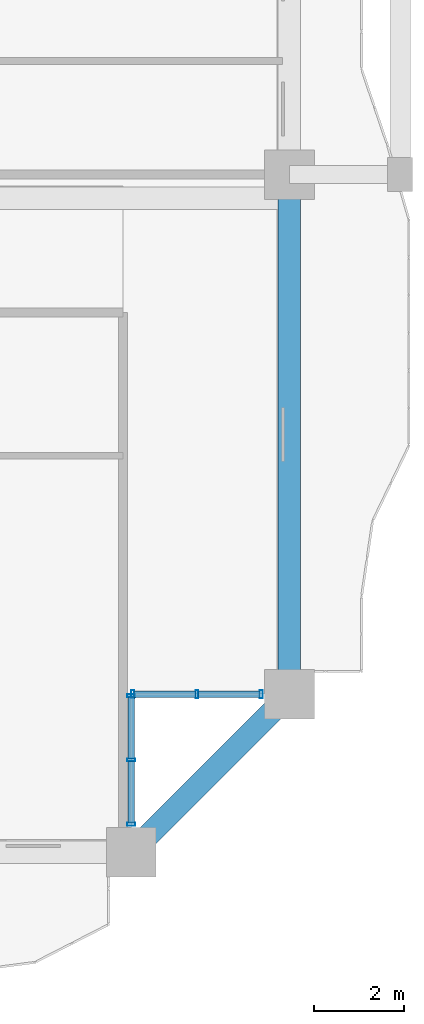
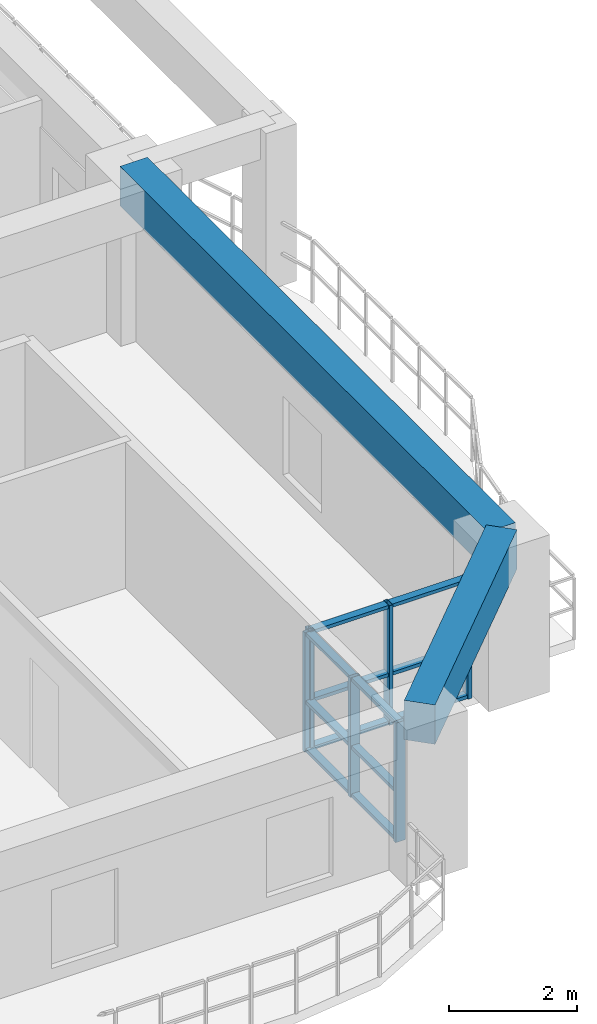
# One storey, part 4 of 27: 18 members, 2 beams, 2 elements without a shape of their own.
"""IFC4 building model written with IfcOpenShell, lengths in metres."""

from ifc_helpers import new_model, si_unit, direction, frame, origin, origin_2d, place, context, subcontext, project, spatial, rectangle, hollow_rectangle, extrude, source, transform, mapped, material, layer, layer_set, material_profile, profile_set, type_object, element, aggregate, save


model = new_model("IFC4")

# Units and contexts
model_context = context("Model", 3, precision=1e-05, world=origin(), true_north=direction((0.0, 1.0)))
body_context = subcontext(model_context, "Body", "Model", "MODEL_VIEW")
ifc_project = project(units=[si_unit("LENGTHUNIT", "METRE"), si_unit("AREAUNIT", "SQUARE_METRE"), si_unit("VOLUMEUNIT", "CUBIC_METRE"), si_unit("PLANEANGLEUNIT", "RADIAN"), si_unit("MASSUNIT", "GRAM", prefix="KILO")], contexts=[model_context])

# Site, building, storey
site_placement = place(None, origin())
site = spatial("IfcSite", under=ifc_project, at=site_placement, CompositionType="ELEMENT")
building_placement = place(site_placement, origin())
building = spatial("IfcBuilding", under=site, at=building_placement, Name="Saelheon Loggia Tower", CompositionType="ELEMENT")
storey_placement = place(building_placement, frame((0.0, 0.0, 34.39990234375)))
storey = spatial("IfcBuildingStorey", under=building, at=storey_placement, Name="L10", CompositionType="ELEMENT", Elevation=34.39990234375)

# Beams
ifc_material_1 = material(Name="Concrete C45/55", Category="concrete")
ifc_material_profile_1 = material_profile(ifc_material_1, rectangle(XDim=0.5, YDim=0.75, at=origin_2d()), Name="RC-500x750")
ifc_profile_set_1 = profile_set([ifc_material_profile_1], Name="Concrete C45/55")
beam_type = type_object("IfcBeamType", Name="Beam_PerimGirder_RC500x750", PredefinedType="BEAM", material=ifc_profile_set_1)
shared_shape_1 = source(origin(), body_context, "Body", "SweptSolid", [
    extrude(rectangle(XDim=0.5, YDim=0.75, at=origin_2d()), origin(), (0.0, 0.0, 1.0), 4.94970703125),
])
beam_1_placement = place(storey_placement, frame((60.5, 3.0, 2.625), z_axis=(0.707106781187, 0.707106781187, 0.0), x_axis=(-0.707106781187, 0.707106781187, 0.0)))
element("IfcBeam", 1, at=beam_1_placement, inside=storey, type_object=beam_type, Name="L10 Perimeter Frame Girder 04", PredefinedType="BEAM", context=body_context, shape_type="MappedRepresentation", body=[
    mapped(shared_shape_1, transform((0.0, 0.0, 0.0), scale=1.0)),
])
shared_shape_2 = source(origin(), body_context, "Body", "SweptSolid", [
    extrude(rectangle(XDim=0.5, YDim=0.75, at=origin_2d()), origin(), (0.0, 0.0, 1.0), 11.5),
])
beam_2_placement = place(storey_placement, frame((64.0, 6.5, 2.625), z_axis=(0.0, 1.0, 0.0), x_axis=(-1.0, 0.0, 0.0)))
element("IfcBeam", 2, at=beam_2_placement, inside=storey, type_object=beam_type, Name="L10 Perimeter Frame Girder 05", PredefinedType="BEAM", context=body_context, shape_type="MappedRepresentation", body=[
    mapped(shared_shape_2, transform((0.0, 0.0, 0.0), scale=1.0)),
])

# Curtain wall, members
ifc_material_2 = material(Name="Thermal-Break Aluminium and Triple Low-E Glass", Category="aluminium")
ifc_layer = layer(ifc_material_2, 0.159912109375)
ifc_layer_set = layer_set([ifc_layer], Name="Thermal-Break Aluminium and Triple Low-E Glass")
curtain_wall_type = type_object("IfcCurtainWallType", Name="CW_TowerLoggiaLow", PredefinedType="NOTDEFINED", material=ifc_layer_set)
curtain_wall_1_placement = place(storey_placement, origin())
curtain_wall_1 = element("IfcCurtainWall", 3, at=curtain_wall_1_placement, inside=storey, type_object=curtain_wall_type, Name="L10 Corner Notch Glazing SE1", PredefinedType="NOTDEFINED")
ifc_material_3 = material(Name="Anodised Aluminium 6063-T6", Category="aluminium")
ifc_material_profile_2 = material_profile(ifc_material_3, hollow_rectangle(XDim=0.06494140625, YDim=0.179931640625, WallThickness=0.00390625, at=origin_2d()), Name="RHS-180x65x4")
ifc_profile_set_2 = profile_set([ifc_material_profile_2], Name="Anodised Aluminium 6063-T6")
member_type_1 = type_object("IfcMemberType", Name="CW_TowerLoggiaLow_Mullion", PredefinedType="MULLION", material=ifc_profile_set_2)
shared_shape_3 = source(origin(), body_context, "Body", "SweptSolid", [
    extrude(hollow_rectangle(XDim=0.06494140625, YDim=0.179931640625, WallThickness=0.00390625, at=origin_2d()), origin(), (0.0, 0.0, 1.0), 2.280029296875),
])
member_1_placement = place(storey_placement, frame((60.5, 3.62255859375, 0.0), z_axis=(0.0, 0.0, 1.0), x_axis=(0.0, 1.0, 0.0)))
member_1 = element("IfcMember", 4, at=member_1_placement, type_object=member_type_1, Name="CW3 mullion 1", PredefinedType="MULLION", context=body_context, shape_type="MappedRepresentation", body=[
    mapped(shared_shape_3, transform((0.0, 0.0, 0.0), scale=1.0)),
])
member_2_placement = place(storey_placement, frame((60.5, 5.044921875, 0.0), z_axis=(0.0, 0.0, 1.0), x_axis=(0.0, 1.0, 0.0)))
member_2 = element("IfcMember", 5, at=member_2_placement, type_object=member_type_1, Name="CW3 mullion 2", PredefinedType="MULLION", context=body_context, shape_type="MappedRepresentation", body=[
    mapped(shared_shape_3, transform((0.0, 0.0, 0.0), scale=1.0)),
])
member_3_placement = place(storey_placement, frame((60.5, 6.467529296875, 0.0), z_axis=(0.0, 0.0, 1.0), x_axis=(0.0, 1.0, 0.0)))
member_3 = element("IfcMember", 6, at=member_3_placement, type_object=member_type_1, Name="CW3 mullion 3", PredefinedType="MULLION", context=body_context, shape_type="MappedRepresentation", body=[
    mapped(shared_shape_3, transform((0.0, 0.0, 0.0), scale=1.0)),
])

curtain_wall_2_placement = place(storey_placement, origin())
curtain_wall_2 = element("IfcCurtainWall", 7, at=curtain_wall_2_placement, inside=storey, type_object=curtain_wall_type, Name="L10 Corner Notch Glazing SE2", PredefinedType="NOTDEFINED")
member_4_placement = place(storey_placement, frame((60.532470703125, 6.5, 0.0), z_axis=(0.0, 0.0, 1.0), x_axis=(1.0, 0.0, 0.0)))
member_4 = element("IfcMember", 8, at=member_4_placement, type_object=member_type_1, Name="CW3 mullion 1", PredefinedType="MULLION", context=body_context, shape_type="MappedRepresentation", body=[
    mapped(shared_shape_3, transform((0.0, 0.0, 0.0), scale=1.0)),
])
member_5_placement = place(storey_placement, frame((61.955078125, 6.5, 0.0), z_axis=(0.0, 0.0, 1.0), x_axis=(1.0, 0.0, 0.0)))
member_5 = element("IfcMember", 9, at=member_5_placement, type_object=member_type_1, Name="CW3 mullion 2", PredefinedType="MULLION", context=body_context, shape_type="MappedRepresentation", body=[
    mapped(shared_shape_3, transform((0.0, 0.0, 0.0), scale=1.0)),
])
member_6_placement = place(storey_placement, frame((63.37744140625, 6.5, 0.0), z_axis=(0.0, 0.0, 1.0), x_axis=(1.0, 0.0, 0.0)))
member_6 = element("IfcMember", 10, at=member_6_placement, type_object=member_type_1, Name="CW3 mullion 3", PredefinedType="MULLION", context=body_context, shape_type="MappedRepresentation", body=[
    mapped(shared_shape_3, transform((0.0, 0.0, 0.0), scale=1.0)),
])

# Member
ifc_material_profile_3 = material_profile(ifc_material_3, hollow_rectangle(XDim=0.06494140625, YDim=0.139892578125, WallThickness=0.00390625, at=origin_2d()), Name="RHS-140x65x4")
ifc_profile_set_3 = profile_set([ifc_material_profile_3], Name="Anodised Aluminium 6063-T6")
member_type_2 = type_object("IfcMemberType", Name="CW_TowerLoggiaLow_Transom", PredefinedType="USERDEFINED", material=ifc_profile_set_3)
shared_shape_4 = source(origin(), body_context, "Body", "SweptSolid", [
    extrude(hollow_rectangle(XDim=0.06494140625, YDim=0.139892578125, WallThickness=0.00390625, at=origin_2d()), origin(), (0.0, 0.0, 1.0), 1.357421875),
])
member_7_placement = place(storey_placement, frame((60.5, 3.655029296875, 0.03271484375), z_axis=(0.0, 1.0, 0.0), x_axis=(0.0, 0.0, 1.0)))
member_7 = element("IfcMember", 11, at=member_7_placement, type_object=member_type_2, Name="CW3 transom 1.1", ObjectType="TRANSOM", PredefinedType="USERDEFINED", context=body_context, shape_type="MappedRepresentation", body=[
    mapped(shared_shape_4, transform((0.0, 0.0, 0.0), scale=1.0)),
])

member_8_placement = place(storey_placement, frame((60.5, 3.655029296875, 0.9501953125), z_axis=(0.0, 1.0, 0.0), x_axis=(0.0, 0.0, 1.0)))
member_8 = element("IfcMember", 12, at=member_8_placement, type_object=member_type_2, Name="CW3 transom 1.2", ObjectType="TRANSOM", PredefinedType="USERDEFINED", context=body_context, shape_type="MappedRepresentation", body=[
    mapped(shared_shape_4, transform((0.0, 0.0, 0.0), scale=1.0)),
])

member_9_placement = place(storey_placement, frame((60.5, 3.655029296875, 2.24755859375), z_axis=(0.0, 1.0, 0.0), x_axis=(0.0, 0.0, 1.0)))
member_9 = element("IfcMember", 13, at=member_9_placement, type_object=member_type_2, Name="CW3 transom 1.3", ObjectType="TRANSOM", PredefinedType="USERDEFINED", context=body_context, shape_type="MappedRepresentation", body=[
    mapped(shared_shape_4, transform((0.0, 0.0, 0.0), scale=1.0)),
])

member_10_placement = place(storey_placement, frame((61.987548828125, 6.5, 0.03271484375), z_axis=(1.0, 0.0, 0.0), x_axis=(0.0, 0.0, 1.0)))
member_10 = element("IfcMember", 14, at=member_10_placement, type_object=member_type_2, Name="CW3 transom 2.1", ObjectType="TRANSOM", PredefinedType="USERDEFINED", context=body_context, shape_type="MappedRepresentation", body=[
    mapped(shared_shape_4, transform((0.0, 0.0, 0.0), scale=1.0)),
])

member_11_placement = place(storey_placement, frame((61.987548828125, 6.5, 0.9501953125), z_axis=(1.0, 0.0, 0.0), x_axis=(0.0, 0.0, 1.0)))
member_11 = element("IfcMember", 15, at=member_11_placement, type_object=member_type_2, Name="CW3 transom 2.2", ObjectType="TRANSOM", PredefinedType="USERDEFINED", context=body_context, shape_type="MappedRepresentation", body=[
    mapped(shared_shape_4, transform((0.0, 0.0, 0.0), scale=1.0)),
])

member_12_placement = place(storey_placement, frame((61.987548828125, 6.5, 2.24755859375), z_axis=(1.0, 0.0, 0.0), x_axis=(0.0, 0.0, 1.0)))
member_12 = element("IfcMember", 16, at=member_12_placement, type_object=member_type_2, Name="CW3 transom 2.3", ObjectType="TRANSOM", PredefinedType="USERDEFINED", context=body_context, shape_type="MappedRepresentation", body=[
    mapped(shared_shape_4, transform((0.0, 0.0, 0.0), scale=1.0)),
])

shared_shape_5 = source(origin(), body_context, "Body", "SweptSolid", [
    extrude(hollow_rectangle(XDim=0.06494140625, YDim=0.139892578125, WallThickness=0.00390625, at=origin_2d()), origin(), (0.0, 0.0, 1.0), 1.357666015625),
])
member_13_placement = place(storey_placement, frame((60.5, 5.077392578125, 0.03271484375), z_axis=(0.0, 1.0, 0.0), x_axis=(0.0, 0.0, 1.0)))
member_13 = element("IfcMember", 17, at=member_13_placement, type_object=member_type_2, Name="CW3 transom 2.1", ObjectType="TRANSOM", PredefinedType="USERDEFINED", context=body_context, shape_type="MappedRepresentation", body=[
    mapped(shared_shape_5, transform((0.0, 0.0, 0.0), scale=1.0)),
])

member_14_placement = place(storey_placement, frame((60.5, 5.077392578125, 0.9501953125), z_axis=(0.0, 1.0, 0.0), x_axis=(0.0, 0.0, 1.0)))
member_14 = element("IfcMember", 18, at=member_14_placement, type_object=member_type_2, Name="CW3 transom 2.2", ObjectType="TRANSOM", PredefinedType="USERDEFINED", context=body_context, shape_type="MappedRepresentation", body=[
    mapped(shared_shape_5, transform((0.0, 0.0, 0.0), scale=1.0)),
])

member_15_placement = place(storey_placement, frame((60.5, 5.077392578125, 2.24755859375), z_axis=(0.0, 1.0, 0.0), x_axis=(0.0, 0.0, 1.0)))
member_15 = element("IfcMember", 19, at=member_15_placement, type_object=member_type_2, Name="CW3 transom 2.3", ObjectType="TRANSOM", PredefinedType="USERDEFINED", context=body_context, shape_type="MappedRepresentation", body=[
    mapped(shared_shape_5, transform((0.0, 0.0, 0.0), scale=1.0)),
])

aggregate(curtain_wall_1, [member_1, member_2, member_3, member_7, member_8, member_9, member_13, member_14, member_15])

member_16_placement = place(storey_placement, frame((60.56494140625, 6.5, 0.03271484375), z_axis=(1.0, 0.0, 0.0), x_axis=(0.0, 0.0, 1.0)))
member_16 = element("IfcMember", 20, at=member_16_placement, type_object=member_type_2, Name="CW3 transom 1.1", ObjectType="TRANSOM", PredefinedType="USERDEFINED", context=body_context, shape_type="MappedRepresentation", body=[
    mapped(shared_shape_5, transform((0.0, 0.0, 0.0), scale=1.0)),
])

member_17_placement = place(storey_placement, frame((60.56494140625, 6.5, 0.9501953125), z_axis=(1.0, 0.0, 0.0), x_axis=(0.0, 0.0, 1.0)))
member_17 = element("IfcMember", 21, at=member_17_placement, type_object=member_type_2, Name="CW3 transom 1.2", ObjectType="TRANSOM", PredefinedType="USERDEFINED", context=body_context, shape_type="MappedRepresentation", body=[
    mapped(shared_shape_5, transform((0.0, 0.0, 0.0), scale=1.0)),
])

member_18_placement = place(storey_placement, frame((60.56494140625, 6.5, 2.24755859375), z_axis=(1.0, 0.0, 0.0), x_axis=(0.0, 0.0, 1.0)))
member_18 = element("IfcMember", 22, at=member_18_placement, type_object=member_type_2, Name="CW3 transom 1.3", ObjectType="TRANSOM", PredefinedType="USERDEFINED", context=body_context, shape_type="MappedRepresentation", body=[
    mapped(shared_shape_5, transform((0.0, 0.0, 0.0), scale=1.0)),
])

aggregate(curtain_wall_2, [member_4, member_5, member_6, member_16, member_17, member_18, member_10, member_11, member_12])

save(model, "model.ifc")
